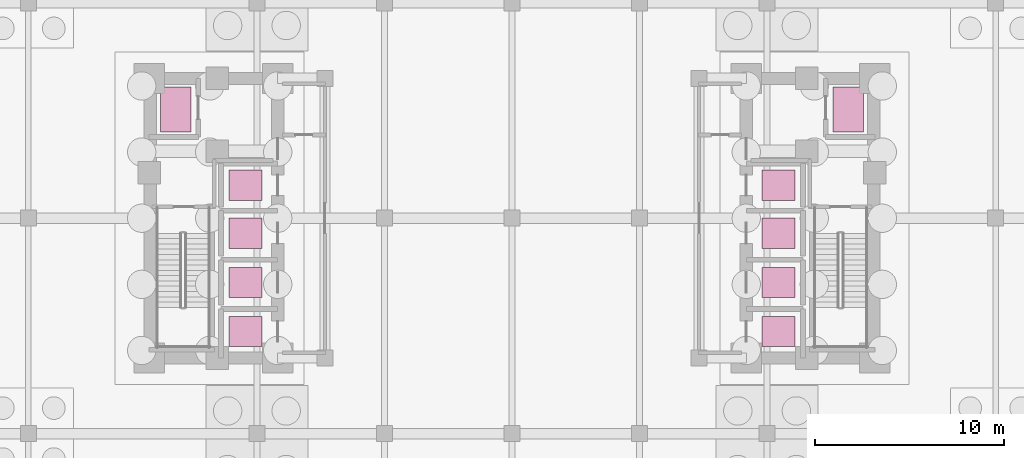
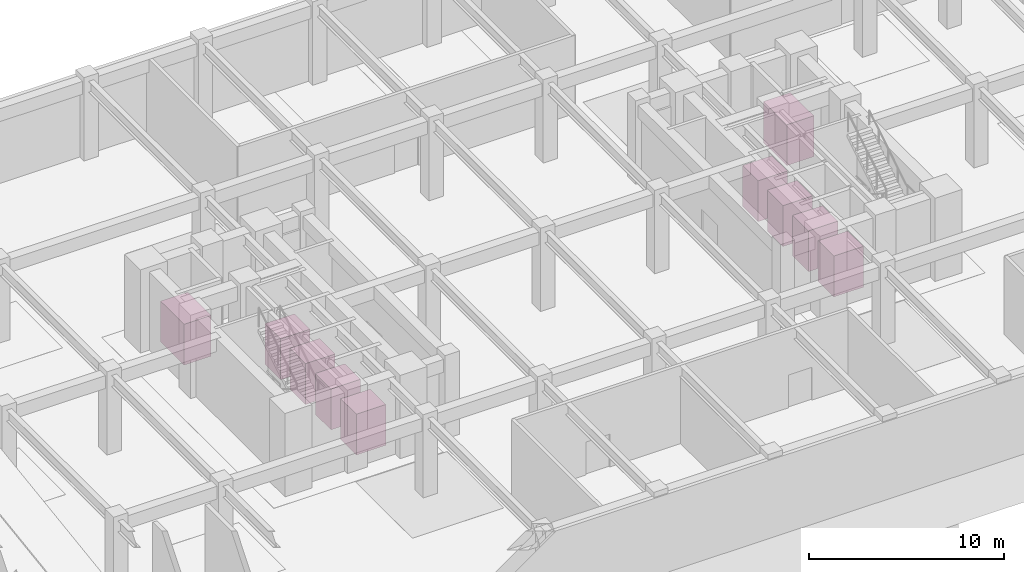
# One storey, part 11 of 11: 10 transport elements.
"""IFC4 building model written with IfcOpenShell, lengths in metres."""

from ifc_helpers import new_model, si_unit, direction, frame, origin, origin_2d, place, context, subcontext, project, spatial, rectangle, extrude, material, type_object, element, save


model = new_model("IFC4")

# Units and contexts
model_context = context("Model", 3, precision=1e-05, world=origin(), true_north=direction((0.0, 1.0)))
body_context = subcontext(model_context, "Body", "Model", "MODEL_VIEW")
ifc_project = project(units=[si_unit("LENGTHUNIT", "METRE"), si_unit("AREAUNIT", "SQUARE_METRE"), si_unit("VOLUMEUNIT", "CUBIC_METRE"), si_unit("PLANEANGLEUNIT", "RADIAN"), si_unit("MASSUNIT", "GRAM", prefix="KILO")], contexts=[model_context])

# Site, building, storey
site_placement = place(None, origin())
site = spatial("IfcSite", under=ifc_project, at=site_placement, CompositionType="ELEMENT")
building_placement = place(site_placement, origin())
building = spatial("IfcBuilding", under=site, at=building_placement, Name="Voryun Gate Residences", CompositionType="ELEMENT")
storey_placement = place(building_placement, frame((0.0, 0.0, -10.39990234375)))
storey = spatial("IfcBuildingStorey", under=building, at=storey_placement, Name="B02", CompositionType="ELEMENT", Elevation=-10.39990234375)

# Transport elements
ifc_material_1 = material(Name="Anodised aluminium", Category="aluminium")
transport_element_type_1 = type_object("IfcTransportElementType", Name="LIFT_FF_STRETCHER", PredefinedType="ELEVATOR", material=ifc_material_1)
for number, where, z_axis, x_axis, name in (
    (1, (-17.800048828125, 5.75, 0.0), (0.0, 0.0, 1.0), (1.0, 0.0, 0.0), "Firefighting Lift EL-FF-W1"),
    (2, (17.800048828125, 5.75, 0.0), (0.0, 0.0, 1.0), (1.0, 0.0, 0.0), "Firefighting Lift EL-FF-E1"),
):
    element("IfcTransportElement", number, at=place(storey_placement, frame(where, z_axis=z_axis, x_axis=x_axis)), inside=storey, type_object=transport_element_type_1, Name=name, PredefinedType="ELEVATOR", context=body_context, shape_type="SweptSolid", body=[
        extrude(rectangle(XDim=1.60009765625, YDim=2.39990234375, at=origin_2d()), origin(), (0.0, 0.0, 1.0), 2.550048828125),
    ])
ifc_material_2 = material(Name="Anodised aluminium", Category="aluminium")
transport_element_type_2 = type_object("IfcTransportElementType", Name="LIFT_PASSENGER_1600", PredefinedType="ELEVATOR", material=ifc_material_2)
for number, where, z_axis, x_axis, name in (
    (3, (-14.10009765625, -6.0, 0.0), (0.0, 0.0, 1.0), (1.0, 0.0, 0.0), "Passenger Lift EL-P1"),
    (4, (-14.10009765625, -3.39990234375, 0.0), (0.0, 0.0, 1.0), (1.0, 0.0, 0.0), "Passenger Lift EL-P2"),
    (5, (14.10009765625, -6.0, 0.0), (0.0, 0.0, 1.0), (1.0, 0.0, 0.0), "Passenger Lift EL-P3"),
    (6, (-14.10009765625, -0.800048828125, 0.0), (0.0, 0.0, 1.0), (1.0, 0.0, 0.0), "Passenger Lift EL-P4"),
    (7, (14.10009765625, -3.39990234375, 0.0), (0.0, 0.0, 1.0), (1.0, 0.0, 0.0), "Passenger Lift EL-P5"),
    (8, (14.10009765625, -0.800048828125, 0.0), (0.0, 0.0, 1.0), (1.0, 0.0, 0.0), "Passenger Lift EL-P6"),
    (9, (-14.10009765625, 1.75, 0.0), (0.0, 0.0, 1.0), (1.0, 0.0, 0.0), "Passenger Lift EL-P7"),
    (10, (14.10009765625, 1.75, 0.0), (0.0, 0.0, 1.0), (1.0, 0.0, 0.0), "Passenger Lift EL-P8"),
):
    element("IfcTransportElement", number, at=place(storey_placement, frame(where, z_axis=z_axis, x_axis=x_axis)), inside=storey, type_object=transport_element_type_2, Name=name, PredefinedType="ELEVATOR", context=body_context, shape_type="SweptSolid", body=[
        extrude(rectangle(XDim=1.75, YDim=1.60009765625, at=origin_2d()), origin(), (0.0, 0.0, 1.0), 2.550048828125),
    ])

save(model, "model.ifc")
